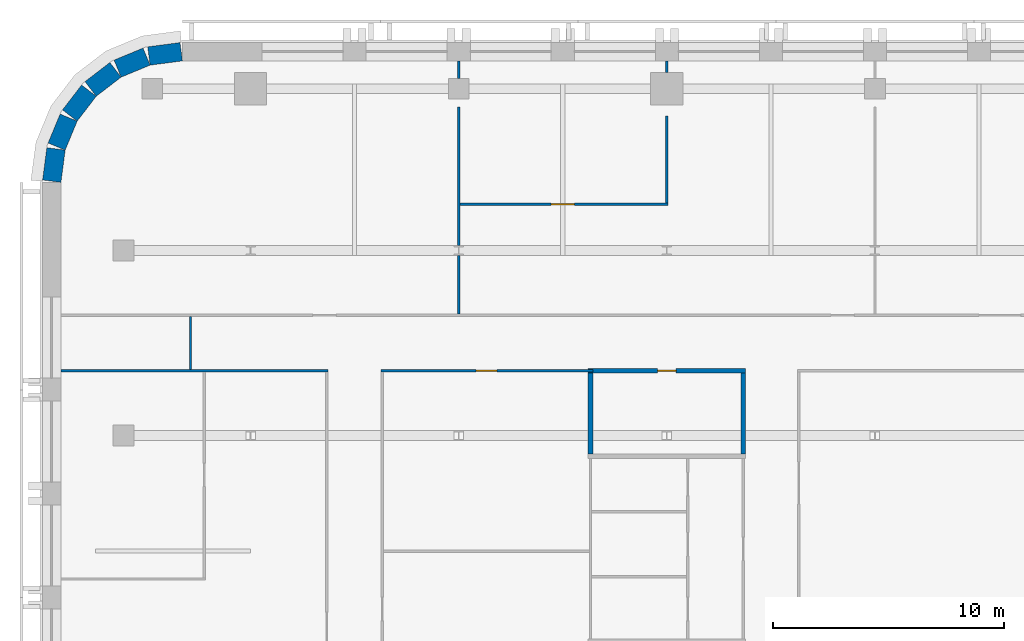
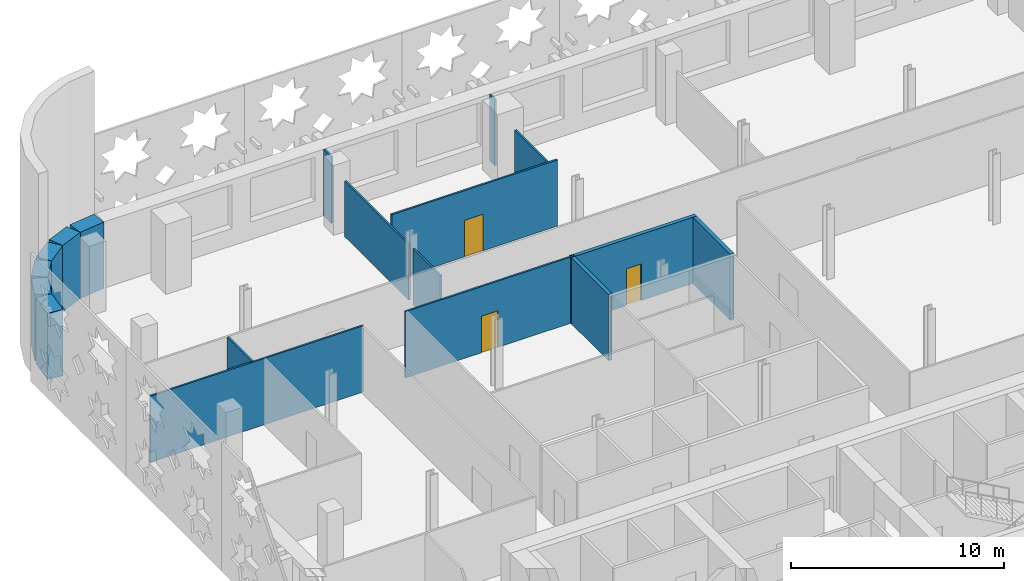
# One storey, part 6 of 14: 18 walls, 3 doors, 3 openings.
"""IFC4 building model written with IfcOpenShell, lengths in metres."""

from ifc_helpers import new_model, si_unit, direction, frame, frame_2d, origin, place, context, subcontext, project, spatial, rectangle, extrude, material, layer, layer_set, type_object, element, fill, save


model = new_model("IFC4")

# Units and contexts
model_context = context("Model", 3, precision=1e-05, world=origin(), true_north=direction((0.0, 1.0)))
body_context = subcontext(model_context, "Body", "Model", "MODEL_VIEW")
ifc_project = project(units=[si_unit("LENGTHUNIT", "METRE"), si_unit("AREAUNIT", "SQUARE_METRE"), si_unit("VOLUMEUNIT", "CUBIC_METRE"), si_unit("PLANEANGLEUNIT", "RADIAN"), si_unit("MASSUNIT", "GRAM", prefix="KILO")], contexts=[model_context])

# Site, building, storey
site_placement = place(None, origin())
site = spatial("IfcSite", under=ifc_project, at=site_placement, CompositionType="ELEMENT")
building_placement = place(site_placement, origin())
building = spatial("IfcBuilding", under=site, at=building_placement, Name="Zellij Exchange Tower", CompositionType="ELEMENT")
storey_placement = place(building_placement, frame((0.0, 0.0, 164.5)))
storey = spatial("IfcBuildingStorey", under=building, at=storey_placement, Name="L37", CompositionType="ELEMENT", Elevation=164.5)

# Walls
ifc_material_1 = material(Name="Precast concrete C40/50", Category="concrete")
ifc_layer_1 = layer(ifc_material_1, 0.800048828125)
ifc_layer_set_1 = layer_set([ifc_layer_1], Name="Precast concrete C40/50")
wall_type_1 = type_object("IfcWallType", Name="ENV-EW1 Precast stone-piered wall 800", PredefinedType="SOLIDWALL", material=ifc_layer_set_1)
wall_1_placement = place(storey_placement, frame((-29.999755859375, 30.5966796875, 0.0), z_axis=(0.0, 0.0, 1.0), x_axis=(-0.99144603414, -0.130517283865, 0.0)))
element("IfcWall", 1, at=wall_1_placement, inside=storey, type_object=wall_type_1, Name="fac.L37.15", PredefinedType="SOLIDWALL", context=body_context, shape_type="SweptSolid", body=[
    extrude(rectangle(XDim=1.408447265625, YDim=0.800048828125, at=frame_2d((0.7041015625, 0.0))), origin(), (0.0, 0.0, 1.0), 3.800048828125),
])
wall_2_placement = place(storey_placement, frame((-31.497314453125, 30.3857421875, 0.0), z_axis=(0.0, 0.0, 1.0), x_axis=(-0.923847774587, -0.38276009378, 0.0)))
element("IfcWall", 2, at=wall_2_placement, inside=storey, type_object=wall_type_1, Name="fac.L37.16", PredefinedType="SOLIDWALL", context=body_context, shape_type="SweptSolid", body=[
    extrude(rectangle(XDim=1.35546875, YDim=0.800048828125, at=frame_2d((0.677734375, 0.0))), origin(), (0.0, 0.0, 1.0), 3.800048828125),
])
for number, where, z_axis, x_axis, name in (
    (3, (-32.840087890625, 29.814697265625, 0.0), (0.0, 0.0, 1.0), (-0.793272915452, -0.608866226366, 0.0), "fac.L37.17"),
    (4, (-33.9892578125, 28.91552734375, 0.0), (0.0, 0.0, 1.0), (-0.608866226366, -0.793272915452, 0.0), "fac.L37.18"),
):
    element("IfcWall", number, at=place(storey_placement, frame(where, z_axis=z_axis, x_axis=x_axis)), inside=storey, type_object=wall_type_1, Name=name, PredefinedType="SOLIDWALL", context=body_context, shape_type="SweptSolid", body=[
        extrude(rectangle(XDim=1.355712890625, YDim=0.800048828125, at=frame_2d((0.677734375, 0.0))), origin(), (0.0, 0.0, 1.0), 3.800048828125),
    ])
wall_3_placement = place(storey_placement, frame((-34.866943359375, 27.74951171875, 0.0), z_axis=(0.0, 0.0, 1.0), x_axis=(-0.38276009378, -0.923847774587, 0.0)))
element("IfcWall", 5, at=wall_3_placement, inside=storey, type_object=wall_type_1, Name="fac.L37.19", PredefinedType="SOLIDWALL", context=body_context, shape_type="SweptSolid", body=[
    extrude(rectangle(XDim=1.35546875, YDim=0.800048828125, at=frame_2d((0.677734375, 0.0))), origin(), (0.0, 0.0, 1.0), 3.800048828125),
])
wall_4_placement = place(storey_placement, frame((-35.412841796875, 26.396240234375, 0.0), z_axis=(0.0, 0.0, 1.0), x_axis=(-0.130517283865, -0.99144603414, 0.0)))
element("IfcWall", 6, at=wall_4_placement, inside=storey, type_object=wall_type_1, Name="fac.L37.20", PredefinedType="SOLIDWALL", context=body_context, shape_type="SweptSolid", body=[
    extrude(rectangle(XDim=1.408447265625, YDim=0.800048828125, at=frame_2d((0.7041015625, 0.0))), origin(), (0.0, 0.0, 1.0), 3.800048828125),
])
ifc_material_2 = material(Name="Blockwork partition", Category="masonry")
ifc_layer_2 = layer(ifc_material_2, 0.199951171875)
ifc_layer_set_2 = layer_set([ifc_layer_2], Name="Blockwork partition")
wall_type_2 = type_object("IfcWallType", Name="FIT-BLOCKWORK-200", PredefinedType="PARTITIONING", material=ifc_layer_set_2)
for number, where, z_axis, x_axis, name in (
    (7, (-12.300048828125, 13.199951171875, 0.0), (0.0, 0.0, 1.0), (0.0, 1.0, 0.0), "FIT-BLOCKWORK-200 032"),
    (8, (-5.699951171875, 13.199951171875, 0.0), (0.0, 0.0, 1.0), (0.0, 1.0, 0.0), "FIT-BLOCKWORK-200 033"),
):
    element("IfcWall", number, at=place(storey_placement, frame(where, z_axis=z_axis, x_axis=x_axis)), inside=storey, type_object=wall_type_2, Name=name, PredefinedType="PARTITIONING", context=body_context, shape_type="SweptSolid", body=[
        extrude(rectangle(XDim=3.5, YDim=0.199951171875, at=frame_2d((1.75, 0.0))), origin(), (0.0, 0.0, 1.0), 3.800048828125),
    ])

# Wall, opening, door
wall_5_placement = place(storey_placement, frame((-12.39990234375, 16.800048828125, 0.0), z_axis=(0.0, 0.0, 1.0), x_axis=(1.0, 0.0, 0.0)))
wall_5 = element("IfcWall", 9, at=wall_5_placement, inside=storey, type_object=wall_type_2, Name="FIT-BLOCKWORK-200 037", PredefinedType="PARTITIONING", context=body_context, shape_type="SweptSolid", body=[
    extrude(rectangle(XDim=6.7998046875, YDim=0.199951171875, at=frame_2d((3.39990234375, 0.0))), origin(), (0.0, 0.0, 1.0), 3.800048828125),
])
opening_1_placement = place(wall_5_placement, frame((3.0, 0.0, 0.0)))
opening_1 = element("IfcOpeningElement", 10, at=opening_1_placement, cuts=wall_5, Name="Opening O3A.18", PredefinedType="OPENING", context=body_context, shape_type="SweptSolid", body=[
    extrude(rectangle(XDim=0.800048828125, YDim=2.10009765625, at=frame_2d((0.39990234375, 1.050048828125))), frame((0.0, 0.11181640625, 0.0), z_axis=(0.0, -1.0, 0.0), x_axis=(1.0, 0.0, 0.0)), (0.0, 0.0, 1.0), 0.223876953125),
])
ifc_material_3 = material(Name="Timber door set", Category="wood")
door_type_1 = type_object("IfcDoorType", Name="FIT-D6-SERVICE-800X2100", OperationType="SINGLE_SWING_LEFT", PredefinedType="DOOR", material=ifc_material_3)
door_1_placement = place(opening_1_placement, origin())
door_1 = element("IfcDoor", 11, at=door_1_placement, inside=storey, type_object=door_type_1, Name="Door O3A.18", OperationType="SINGLE_SWING_RIGHT", OverallHeight=2.10009765625, OverallWidth=0.800048828125, PredefinedType="DOOR", context=body_context, shape_type="SweptSolid", body=[
    extrude(rectangle(XDim=0.800048828125, YDim=2.10009765625, at=frame_2d((0.39990234375, 1.050048828125))), frame((0.0, 0.02490234375, 0.0), z_axis=(0.0, -1.0, 0.0), x_axis=(1.0, 0.0, 0.0)), (0.0, 0.0, 1.0), 0.050048828125),
])
fill(opening_1, door_1)

# Walls
ifc_material_4 = material(Name="Gypsum board partition on steel studs", Category="steel")
ifc_layer_3 = layer(ifc_material_4, 0.10009765625)
ifc_layer_set_3 = layer_set([ifc_layer_3], Name="Gypsum board partition on steel studs")
wall_type_3 = type_object("IfcWallType", Name="FIT-PARTITION-100", PredefinedType="PARTITIONING", material=ifc_layer_set_3)
wall_6_placement = place(storey_placement, frame((-35.199951171875, 16.800048828125, 0.0), z_axis=(0.0, 0.0, 1.0), x_axis=(1.0, 0.0, 0.0)))
element("IfcWall", 12, at=wall_6_placement, inside=storey, type_object=wall_type_3, Name="FIT-PARTITION-100 034", PredefinedType="PARTITIONING", context=body_context, shape_type="SweptSolid", body=[
    extrude(rectangle(XDim=11.550048828125, YDim=0.10009765625, at=frame_2d((5.77490234375, 0.0))), origin(), (0.0, 0.0, 1.0), 3.800048828125),
])
wall_7_placement = place(storey_placement, frame((-29.60009765625, 16.85009765625, 0.0), z_axis=(0.0, 0.0, 1.0), x_axis=(0.0, 1.0, 0.0)))
element("IfcWall", 13, at=wall_7_placement, inside=storey, type_object=wall_type_3, Name="FIT-PARTITION-100 035", PredefinedType="PARTITIONING", context=body_context, shape_type="SweptSolid", body=[
    extrude(rectangle(XDim=2.2998046875, YDim=0.10009765625, at=frame_2d((1.14990234375, 0.0))), origin(), (0.0, 0.0, 1.0), 3.800048828125),
])

# Wall, opening, door
wall_8_placement = place(storey_placement, frame((-21.35009765625, 16.800048828125, 0.0), z_axis=(0.0, 0.0, 1.0), x_axis=(1.0, 0.0, 0.0)))
wall_8 = element("IfcWall", 14, at=wall_8_placement, inside=storey, type_object=wall_type_3, Name="FIT-PARTITION-100 036", PredefinedType="PARTITIONING", context=body_context, shape_type="SweptSolid", body=[
    extrude(rectangle(XDim=9.150146484375, YDim=0.10009765625, at=frame_2d((4.5751953125, 0.0))), origin(), (0.0, 0.0, 1.0), 3.800048828125),
])
opening_2_placement = place(wall_8_placement, frame((4.10009765625, 0.0, 0.0)))
opening_2 = element("IfcOpeningElement", 15, at=opening_2_placement, cuts=wall_8, Name="Opening O3A.17", PredefinedType="OPENING", context=body_context, shape_type="SweptSolid", body=[
    extrude(rectangle(XDim=0.89990234375, YDim=2.10009765625, at=frame_2d((0.449951171875, 1.050048828125))), frame((0.0, 0.06201171875, 0.0), z_axis=(0.0, -1.0, 0.0), x_axis=(1.0, 0.0, 0.0)), (0.0, 0.0, 1.0), 0.1240234375),
])
door_type_2 = type_object("IfcDoorType", Name="FIT-D1-ROOM-900X2100", OperationType="SINGLE_SWING_LEFT", PredefinedType="DOOR", material=ifc_material_3)
door_2_placement = place(opening_2_placement, origin())
door_2 = element("IfcDoor", 16, at=door_2_placement, inside=storey, type_object=door_type_2, Name="Door O3A.17", OperationType="SINGLE_SWING_LEFT", OverallHeight=2.10009765625, OverallWidth=0.89990234375, PredefinedType="DOOR", context=body_context, shape_type="SweptSolid", body=[
    extrude(rectangle(XDim=0.89990234375, YDim=2.10009765625, at=frame_2d((0.449951171875, 1.050048828125))), frame((0.0, 0.02490234375, 0.0), z_axis=(0.0, -1.0, 0.0), x_axis=(1.0, 0.0, 0.0)), (0.0, 0.0, 1.0), 0.050048828125),
])
fill(opening_2, door_2)

# Walls
wall_9_placement = place(storey_placement, frame((-18.0, 19.25, 0.0), z_axis=(0.0, 0.0, 1.0), x_axis=(0.0, 1.0, 0.0)))
element("IfcWall", 17, at=wall_9_placement, inside=storey, type_object=wall_type_3, Name="FIT-PARTITION-100 042", PredefinedType="PARTITIONING", context=body_context, shape_type="SweptSolid", body=[
    extrude(rectangle(XDim=2.537841796875, YDim=0.10009765625, at=frame_2d((1.26904296875, 0.0))), origin(), (0.0, 0.0, 1.0), 3.19287109375),
])
wall_10_placement = place(storey_placement, frame((-18.0, 22.212158203125, 0.0), z_axis=(0.0, 0.0, 1.0), x_axis=(0.0, 1.0, 0.0)))
element("IfcWall", 18, at=wall_10_placement, inside=storey, type_object=wall_type_3, Name="FIT-PARTITION-100 043", PredefinedType="PARTITIONING", context=body_context, shape_type="SweptSolid", body=[
    extrude(rectangle(XDim=5.98779296875, YDim=0.10009765625, at=frame_2d((2.993896484375, 0.0))), origin(), (0.0, 0.0, 1.0), 3.19287109375),
])

# Wall, opening, door
wall_11_placement = place(storey_placement, frame((-17.949951171875, 24.0, 0.0), z_axis=(0.0, 0.0, 1.0), x_axis=(1.0, 0.0, 0.0)))
wall_11 = element("IfcWall", 19, at=wall_11_placement, inside=storey, type_object=wall_type_3, Name="FIT-PARTITION-100 048", PredefinedType="PARTITIONING", context=body_context, shape_type="SweptSolid", body=[
    extrude(rectangle(XDim=9.0, YDim=0.10009765625, at=frame_2d((4.5, 0.0))), origin(), (0.0, 0.0, 1.0), 3.800048828125),
])
opening_3_placement = place(wall_11_placement, frame((3.949951171875, 0.0, 0.0)))
opening_3 = element("IfcOpeningElement", 20, at=opening_3_placement, cuts=wall_11, Name="Opening O3A.23", PredefinedType="OPENING", context=body_context, shape_type="SweptSolid", body=[
    extrude(rectangle(XDim=1.0, YDim=2.10009765625, at=frame_2d((0.5, 1.050048828125))), frame((0.0, 0.06201171875, 0.0), z_axis=(0.0, -1.0, 0.0), x_axis=(1.0, 0.0, 0.0)), (0.0, 0.0, 1.0), 0.1240234375),
])
door_type_3 = type_object("IfcDoorType", Name="FIT-D2-WIDE-1000X2100", OperationType="SINGLE_SWING_LEFT", PredefinedType="DOOR", material=ifc_material_3)
door_3_placement = place(opening_3_placement, origin())
door_3 = element("IfcDoor", 21, at=door_3_placement, inside=storey, type_object=door_type_3, Name="Door O3A.23", OperationType="SINGLE_SWING_RIGHT", OverallHeight=2.10009765625, OverallWidth=1.0, PredefinedType="DOOR", context=body_context, shape_type="SweptSolid", body=[
    extrude(rectangle(XDim=1.0, YDim=2.10009765625, at=frame_2d((0.5, 1.050048828125))), frame((0.0, 0.02490234375, 0.0), z_axis=(0.0, -1.0, 0.0), x_axis=(1.0, 0.0, 0.0)), (0.0, 0.0, 1.0), 0.050048828125),
])
fill(opening_3, door_3)

# Walls
wall_12_placement = place(storey_placement, frame((-9.0, 24.050048828125, 0.0), z_axis=(0.0, 0.0, 1.0), x_axis=(0.0, 1.0, 0.0)))
element("IfcWall", 22, at=wall_12_placement, inside=storey, type_object=wall_type_3, Name="FIT-PARTITION-100 049", PredefinedType="PARTITIONING", context=body_context, shape_type="SweptSolid", body=[
    extrude(rectangle(XDim=3.77001953125, YDim=0.10009765625, at=frame_2d((1.885009765625, 0.0))), origin(), (0.0, 0.0, 1.0), 3.19287109375),
])
wall_13_placement = place(storey_placement, frame((-9.0, 29.699951171875, 0.0), z_axis=(0.0, 0.0, 1.0), x_axis=(0.0, 1.0, 0.0)))
element("IfcWall", 23, at=wall_13_placement, inside=storey, type_object=wall_type_3, Name="FIT-PARTITION-100 052", PredefinedType="PARTITIONING", context=body_context, shape_type="SweptSolid", body=[
    extrude(rectangle(XDim=0.5, YDim=0.10009765625, at=frame_2d((0.25, 0.0))), origin(), (0.0, 0.0, 1.0), 3.800048828125),
])
wall_14_placement = place(storey_placement, frame((-18.0, 29.449951171875, 0.0), z_axis=(0.0, 0.0, 1.0), x_axis=(0.0, 1.0, 0.0)))
element("IfcWall", 24, at=wall_14_placement, inside=storey, type_object=wall_type_3, Name="FIT-PARTITION-100 054", PredefinedType="PARTITIONING", context=body_context, shape_type="SweptSolid", body=[
    extrude(rectangle(XDim=0.75, YDim=0.10009765625, at=frame_2d((0.375, 0.0))), origin(), (0.0, 0.0, 1.0), 3.800048828125),
])

save(model, "model.ifc")
